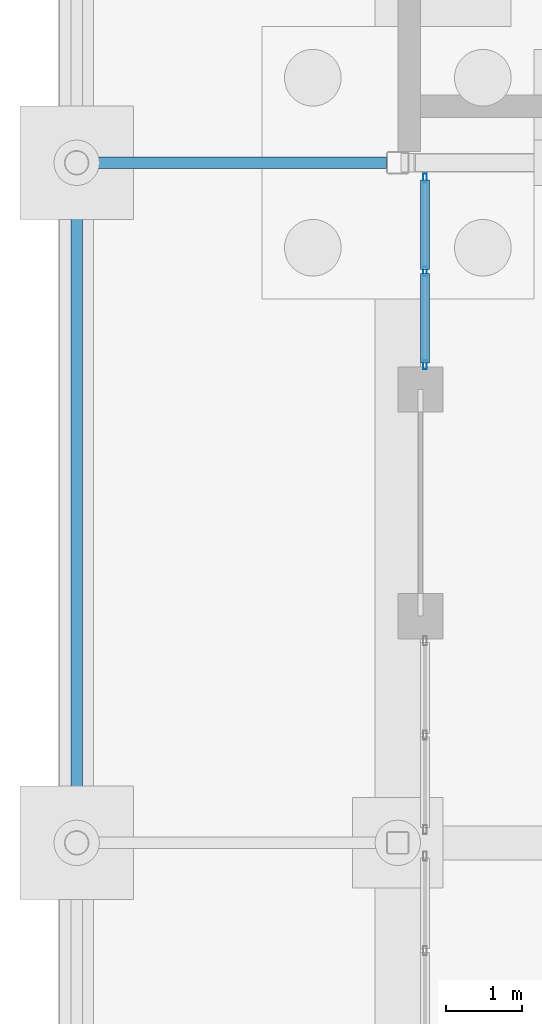
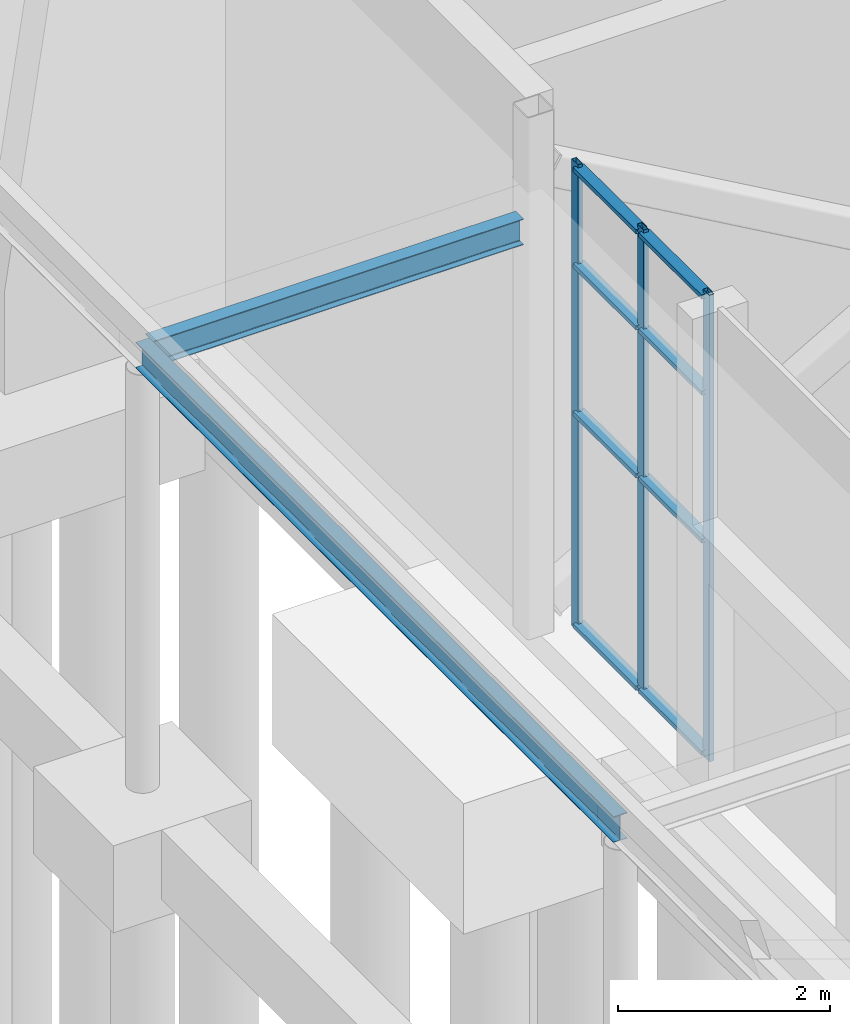
# One storey, part 51 of 139: 11 members, 2 beams, 1 element without a shape of its own.
"""IFC4 building model written with IfcOpenShell, lengths in metres."""

from ifc_helpers import new_model, si_unit, direction, frame, origin, origin_2d, place, context, subcontext, project, spatial, hollow_rectangle, i_section, extrude, material, layer, layer_set, material_profile, profile_set, type_object, element, aggregate, save


model = new_model("IFC4")

# Units and contexts
model_context = context("Model", 3, precision=1e-05, world=origin(), true_north=direction((0.0, 1.0)))
body_context = subcontext(model_context, "Body", "Model", "MODEL_VIEW")
ifc_project = project(units=[si_unit("LENGTHUNIT", "METRE"), si_unit("AREAUNIT", "SQUARE_METRE"), si_unit("VOLUMEUNIT", "CUBIC_METRE"), si_unit("PLANEANGLEUNIT", "RADIAN"), si_unit("MASSUNIT", "GRAM", prefix="KILO")], contexts=[model_context])

# Site, building, storey
site_placement = place(None, origin())
site = spatial("IfcSite", under=ifc_project, at=site_placement, CompositionType="ELEMENT")
building_placement = place(site_placement, origin())
building = spatial("IfcBuilding", under=site, at=building_placement, Name="Shorebreak Coast Museum", CompositionType="ELEMENT")
storey_placement = place(building_placement, origin())
storey = spatial("IfcBuildingStorey", under=building, at=storey_placement, Name="L00", CompositionType="ELEMENT", Elevation=0.0)

# Beams
ifc_material_1 = material(Name="Steel Grade 300", Category="steel")
ifc_material_profile_1 = material_profile(ifc_material_1, i_section(OverallWidth=0.14892578125, OverallDepth=0.298095703125, WebThickness=0.005615234375, FlangeThickness=0.008056640625, FilletRadius=0.012939453125, at=origin_2d()), Name="310UB32.0")
ifc_profile_set_1 = profile_set([ifc_material_profile_1], Name="Steel Grade 300")
beam_type_1 = type_object("IfcBeamType", Name="Arcade edge beam 310UB32.0", PredefinedType="BEAM", material=ifc_profile_set_1)
beam_1_placement = place(storey_placement, frame((-4.25, 72.0, 4.65087890625), z_axis=(0.0, 1.0, 0.0), x_axis=(-1.0, 0.0, 0.0)))
element("IfcBeam", 1, at=beam_1_placement, inside=storey, type_object=beam_type_1, Name="Arcade edge beam west 3", PredefinedType="BEAM", context=body_context, shape_type="SweptSolid", body=[
    extrude(i_section(OverallWidth=0.14892578125, OverallDepth=0.298095703125, WebThickness=0.005615234375, FlangeThickness=0.008056640625, FilletRadius=0.012939453125, at=origin_2d()), origin(), (0.0, 0.0, 1.0), 9.0),
])
ifc_material_2 = material(Name="Steel Grade 300", Category="steel")
ifc_material_profile_2 = material_profile(ifc_material_2, i_section(OverallWidth=0.14892578125, OverallDepth=0.298095703125, WebThickness=0.005615234375, FlangeThickness=0.008056640625, FilletRadius=0.012939453125, at=origin_2d()), Name="310UB32.0")
ifc_profile_set_2 = profile_set([ifc_material_profile_2], Name="Steel Grade 300")
beam_type_2 = type_object("IfcBeamType", Name="Arcade primary beam 310UB32.0", PredefinedType="BEAM", material=ifc_profile_set_2)
beam_2_placement = place(storey_placement, frame((-0.14990234375, 81.0, 4.65087890625), z_axis=(-1.0, 0.0, 0.0), x_axis=(0.0, -1.0, 0.0)))
element("IfcBeam", 2, at=beam_2_placement, inside=storey, type_object=beam_type_2, Name="Arcade primary beam west 4", PredefinedType="BEAM", context=body_context, shape_type="SweptSolid", body=[
    extrude(i_section(OverallWidth=0.14892578125, OverallDepth=0.298095703125, WebThickness=0.005615234375, FlangeThickness=0.008056640625, FilletRadius=0.012939453125, at=origin_2d()), origin(), (0.0, 0.0, 1.0), 4.025634765625),
])

# Curtain wall, members
ifc_material_3 = material(Name="Aluminium", Category="aluminium")
ifc_layer = layer(ifc_material_3, 0.1201171875)
ifc_layer_set = layer_set([ifc_layer], Name="Aluminium")
curtain_wall_type = type_object("IfcCurtainWallType", Name="Entrance sidelight curtain wall", PredefinedType="NOTDEFINED", material=ifc_layer_set)
curtain_wall_placement = place(storey_placement, origin())
curtain_wall = element("IfcCurtainWall", 3, at=curtain_wall_placement, inside=storey, type_object=curtain_wall_type, Name="Entrance glazing ENT-W 4", PredefinedType="NOTDEFINED")
ifc_material_4 = material(Name="Aluminium", Category="aluminium")
ifc_material_profile_3 = material_profile(ifc_material_4, hollow_rectangle(XDim=0.050048828125, YDim=0.1201171875, WallThickness=0.0029296875, at=origin_2d()), Name="AL 120x50 RHS")
ifc_profile_set_3 = profile_set([ifc_material_profile_3], Name="Aluminium")
member_type_1 = type_object("IfcMemberType", Name="Entrance mullion 50 x 120", PredefinedType="MULLION", material=ifc_profile_set_3)
member_1_placement = place(storey_placement, frame((0.3583984375, 78.324951171875, 0.0), z_axis=(0.0, 0.0, 1.0), x_axis=(-1.0, 0.0, 0.0)))
member_1 = element("IfcMember", 4, at=member_1_placement, type_object=member_type_1, Name="CW1 mullion 1", PredefinedType="MULLION", context=body_context, shape_type="SweptSolid", body=[
    extrude(hollow_rectangle(XDim=0.050048828125, YDim=0.1201171875, WallThickness=0.0029296875, at=origin_2d()), origin(), (0.0, 0.0, 1.0), 5.364501953125),
])
member_2_placement = place(storey_placement, frame((0.3583984375, 79.56103515625, 0.0), z_axis=(0.0, 0.0, 1.0), x_axis=(-1.0, 0.0, 0.0)))
member_2 = element("IfcMember", 5, at=member_2_placement, type_object=member_type_1, Name="CW1 mullion 2", PredefinedType="MULLION", context=body_context, shape_type="SweptSolid", body=[
    extrude(hollow_rectangle(XDim=0.050048828125, YDim=0.1201171875, WallThickness=0.0029296875, at=origin_2d()), origin(), (0.0, 0.0, 1.0), 5.364501953125),
])
member_3_placement = place(storey_placement, frame((0.3583984375, 80.797119140625, 0.0), z_axis=(0.0, 0.0, 1.0), x_axis=(-1.0, 0.0, 0.0)))
member_3 = element("IfcMember", 6, at=member_3_placement, type_object=member_type_1, Name="CW1 mullion 3", PredefinedType="MULLION", context=body_context, shape_type="SweptSolid", body=[
    extrude(hollow_rectangle(XDim=0.050048828125, YDim=0.1201171875, WallThickness=0.0029296875, at=origin_2d()), origin(), (0.0, 0.0, 1.0), 5.364501953125),
])
ifc_material_5 = material(Name="Aluminium", Category="aluminium")
ifc_material_profile_4 = material_profile(ifc_material_5, hollow_rectangle(XDim=0.1201171875, YDim=0.050048828125, WallThickness=0.0029296875, at=origin_2d()), Name="AL 50x120 RHS")
ifc_profile_set_4 = profile_set([ifc_material_profile_4], Name="Aluminium")
member_type_2 = type_object("IfcMemberType", Name="Entrance transom 120 x 50", PredefinedType="USERDEFINED", material=ifc_profile_set_4)
member_4_placement = place(storey_placement, frame((0.3583984375, 78.35009765625, 0.06005859375), z_axis=(0.0, 1.0, 0.0), x_axis=(-1.0, 0.0, 0.0)))
member_4 = element("IfcMember", 7, at=member_4_placement, type_object=member_type_2, Name="CW1 transom 1.1", ObjectType="TRANSOM", PredefinedType="USERDEFINED", context=body_context, shape_type="SweptSolid", body=[
    extrude(hollow_rectangle(XDim=0.1201171875, YDim=0.050048828125, WallThickness=0.0029296875, at=origin_2d()), origin(), (0.0, 0.0, 1.0), 1.185791015625),
])
member_5_placement = place(storey_placement, frame((0.3583984375, 78.35009765625, 2.5), z_axis=(0.0, 1.0, 0.0), x_axis=(-1.0, 0.0, 0.0)))
member_5 = element("IfcMember", 8, at=member_5_placement, type_object=member_type_2, Name="CW1 transom 1.2", ObjectType="TRANSOM", PredefinedType="USERDEFINED", context=body_context, shape_type="SweptSolid", body=[
    extrude(hollow_rectangle(XDim=0.1201171875, YDim=0.050048828125, WallThickness=0.0029296875, at=origin_2d()), origin(), (0.0, 0.0, 1.0), 1.185791015625),
])
member_6_placement = place(storey_placement, frame((0.3583984375, 78.35009765625, 4.199951171875), z_axis=(0.0, 1.0, 0.0), x_axis=(-1.0, 0.0, 0.0)))
member_6 = element("IfcMember", 9, at=member_6_placement, type_object=member_type_2, Name="CW1 transom 1.3", ObjectType="TRANSOM", PredefinedType="USERDEFINED", context=body_context, shape_type="SweptSolid", body=[
    extrude(hollow_rectangle(XDim=0.1201171875, YDim=0.050048828125, WallThickness=0.0029296875, at=origin_2d()), origin(), (0.0, 0.0, 1.0), 1.185791015625),
])
member_7_placement = place(storey_placement, frame((0.3583984375, 78.35009765625, 5.3046875), z_axis=(0.0, 1.0, 0.0), x_axis=(-1.0, 0.0, 0.0)))
member_7 = element("IfcMember", 10, at=member_7_placement, type_object=member_type_2, Name="CW1 transom 1.4", ObjectType="TRANSOM", PredefinedType="USERDEFINED", context=body_context, shape_type="SweptSolid", body=[
    extrude(hollow_rectangle(XDim=0.1201171875, YDim=0.050048828125, WallThickness=0.0029296875, at=origin_2d()), origin(), (0.0, 0.0, 1.0), 1.185791015625),
])
member_8_placement = place(storey_placement, frame((0.3583984375, 79.5859375, 0.06005859375), z_axis=(0.0, 1.0, 0.0), x_axis=(-1.0, 0.0, 0.0)))
member_8 = element("IfcMember", 11, at=member_8_placement, type_object=member_type_2, Name="CW1 transom 2.1", ObjectType="TRANSOM", PredefinedType="USERDEFINED", context=body_context, shape_type="SweptSolid", body=[
    extrude(hollow_rectangle(XDim=0.1201171875, YDim=0.050048828125, WallThickness=0.0029296875, at=origin_2d()), origin(), (0.0, 0.0, 1.0), 1.18603515625),
])
member_9_placement = place(storey_placement, frame((0.3583984375, 79.5859375, 2.5), z_axis=(0.0, 1.0, 0.0), x_axis=(-1.0, 0.0, 0.0)))
member_9 = element("IfcMember", 12, at=member_9_placement, type_object=member_type_2, Name="CW1 transom 2.2", ObjectType="TRANSOM", PredefinedType="USERDEFINED", context=body_context, shape_type="SweptSolid", body=[
    extrude(hollow_rectangle(XDim=0.1201171875, YDim=0.050048828125, WallThickness=0.0029296875, at=origin_2d()), origin(), (0.0, 0.0, 1.0), 1.18603515625),
])
member_10_placement = place(storey_placement, frame((0.3583984375, 79.5859375, 4.199951171875), z_axis=(0.0, 1.0, 0.0), x_axis=(-1.0, 0.0, 0.0)))
member_10 = element("IfcMember", 13, at=member_10_placement, type_object=member_type_2, Name="CW1 transom 2.3", ObjectType="TRANSOM", PredefinedType="USERDEFINED", context=body_context, shape_type="SweptSolid", body=[
    extrude(hollow_rectangle(XDim=0.1201171875, YDim=0.050048828125, WallThickness=0.0029296875, at=origin_2d()), origin(), (0.0, 0.0, 1.0), 1.18603515625),
])
member_11_placement = place(storey_placement, frame((0.3583984375, 79.5859375, 5.3046875), z_axis=(0.0, 1.0, 0.0), x_axis=(-1.0, 0.0, 0.0)))
member_11 = element("IfcMember", 14, at=member_11_placement, type_object=member_type_2, Name="CW1 transom 2.4", ObjectType="TRANSOM", PredefinedType="USERDEFINED", context=body_context, shape_type="SweptSolid", body=[
    extrude(hollow_rectangle(XDim=0.1201171875, YDim=0.050048828125, WallThickness=0.0029296875, at=origin_2d()), origin(), (0.0, 0.0, 1.0), 1.18603515625),
])
aggregate(curtain_wall, [member_1, member_2, member_3, member_4, member_5, member_6, member_7, member_8, member_9, member_10, member_11])

save(model, "model.ifc")
